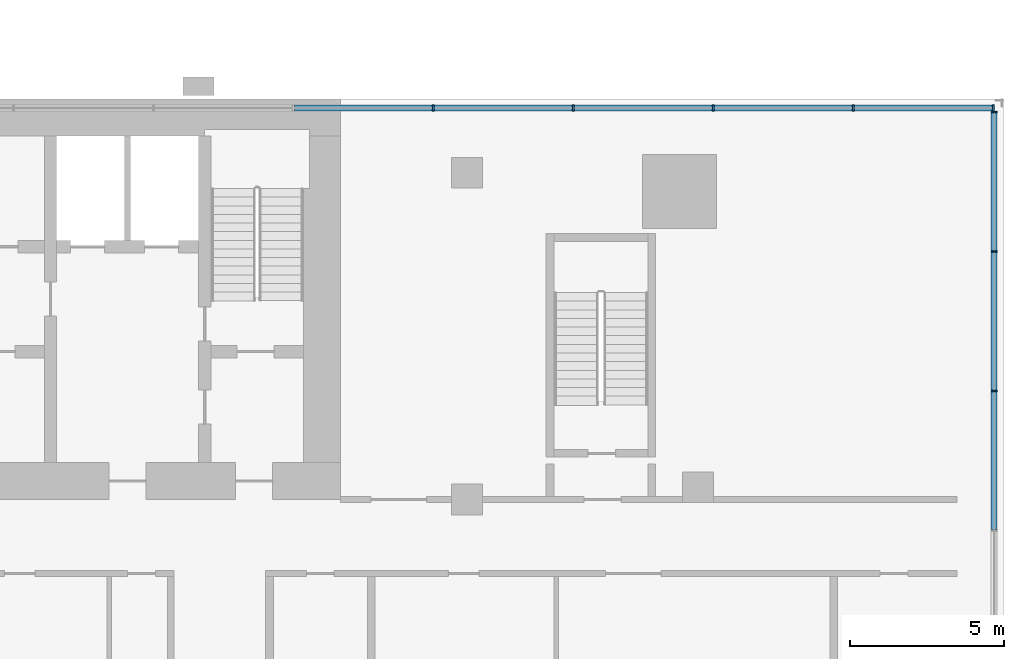
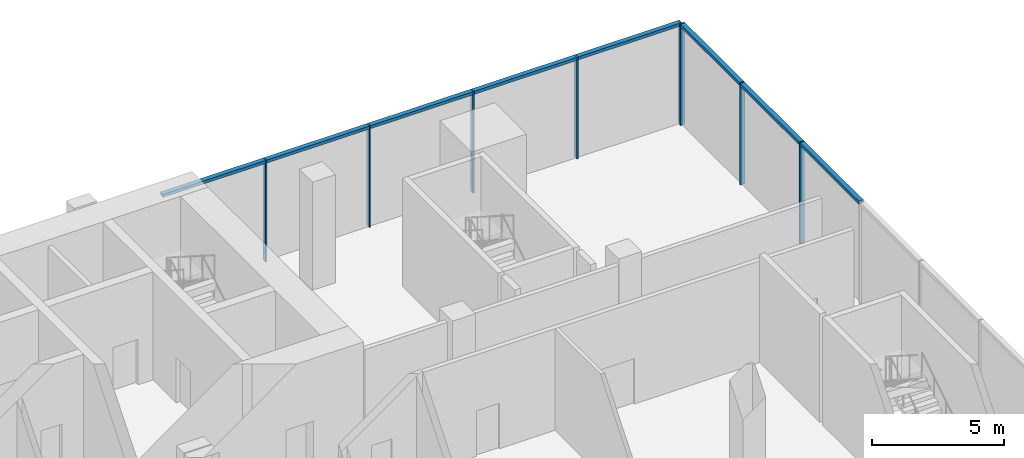
# One storey, part 8 of 20: 16 members, 2 elements without a shape of their own.
"""IFC4 building model written with IfcOpenShell, lengths in metres."""

from ifc_helpers import new_model, si_unit, direction, frame, origin, origin_2d, place, context, subcontext, project, spatial, rectangle, extrude, material, material_profile, profile_set, type_object, element, aggregate, save


model = new_model("IFC4")

# Units and contexts
model_context = context("Model", 3, precision=1e-05, world=origin(), true_north=direction((0.0, 1.0)))
body_context = subcontext(model_context, "Body", "Model", "MODEL_VIEW")
ifc_project = project(units=[si_unit("LENGTHUNIT", "METRE"), si_unit("AREAUNIT", "SQUARE_METRE"), si_unit("VOLUMEUNIT", "CUBIC_METRE"), si_unit("PLANEANGLEUNIT", "RADIAN"), si_unit("MASSUNIT", "GRAM", prefix="KILO")], contexts=[model_context])

# Site, building, storey
site_placement = place(None, origin())
site = spatial("IfcSite", under=ifc_project, at=site_placement, CompositionType="ELEMENT")
building_placement = place(site_placement, origin())
building = spatial("IfcBuilding", under=site, at=building_placement, Name="Bicima Exchange Tower", CompositionType="ELEMENT")
storey_placement = place(building_placement, frame((0.0, 0.0, 25.0)))
storey = spatial("IfcBuildingStorey", under=building, at=storey_placement, Name="L04", CompositionType="ELEMENT", Elevation=25.0)

# Curtain wall, members
ifc_material = material(Name="Anodised bronze aluminium", Category="aluminium")
curtain_wall_type = type_object("IfcCurtainWallType", Name="Lobby glazing", PredefinedType="NOTDEFINED", material=ifc_material)
curtain_wall_1_placement = place(storey_placement, origin())
curtain_wall_1 = element("IfcCurtainWall", 1, at=curtain_wall_1_placement, inside=storey, type_object=curtain_wall_type, Name="Podium glazing L04 east 1", PredefinedType="NOTDEFINED")
ifc_material_profile_1 = material_profile(ifc_material, rectangle(XDim=0.199951171875, YDim=0.06005859375, at=origin_2d()))
ifc_profile_set_1 = profile_set([ifc_material_profile_1], Name="Anodised bronze aluminium")
member_type_1 = type_object("IfcMemberType", Name="Lobby glazing mullion 60 x 200", PredefinedType="MULLION", material=ifc_profile_set_1)
member_1_placement = place(storey_placement, frame((43.199951171875, -9.47802734375, 0.0), z_axis=(0.0, 0.0, 1.0), x_axis=(-1.0, 0.0, 0.0)))
member_1 = element("IfcMember", 2, at=member_1_placement, type_object=member_type_1, Name="Lobby glazing mullion 9", PredefinedType="MULLION", context=body_context, shape_type="SweptSolid", body=[
    extrude(rectangle(XDim=0.199951171875, YDim=0.06005859375, at=origin_2d()), origin(), (0.0, 0.0, 1.0), 4.699951171875),
])
member_2_placement = place(storey_placement, frame((43.199951171875, -4.9541015625, 0.0), z_axis=(0.0, 0.0, 1.0), x_axis=(-1.0, 0.0, 0.0)))
member_2 = element("IfcMember", 3, at=member_2_placement, type_object=member_type_1, Name="Lobby glazing mullion 10", PredefinedType="MULLION", context=body_context, shape_type="SweptSolid", body=[
    extrude(rectangle(XDim=0.199951171875, YDim=0.06005859375, at=origin_2d()), origin(), (0.0, 0.0, 1.0), 4.699951171875),
])
member_3_placement = place(storey_placement, frame((43.199951171875, -0.429931640625, 0.0), z_axis=(0.0, 0.0, 1.0), x_axis=(-1.0, 0.0, 0.0)))
member_3 = element("IfcMember", 4, at=member_3_placement, type_object=member_type_1, Name="Lobby glazing mullion 11", PredefinedType="MULLION", context=body_context, shape_type="SweptSolid", body=[
    extrude(rectangle(XDim=0.199951171875, YDim=0.06005859375, at=origin_2d()), origin(), (0.0, 0.0, 1.0), 4.699951171875),
])

curtain_wall_2_placement = place(storey_placement, origin())
curtain_wall_2 = element("IfcCurtainWall", 5, at=curtain_wall_2_placement, inside=storey, type_object=curtain_wall_type, Name="Podium glazing L04 north 1", PredefinedType="NOTDEFINED")
member_4_placement = place(storey_placement, frame((43.169921875, -0.300048828125, 0.0), z_axis=(0.0, 0.0, 1.0), x_axis=(0.0, -1.0, 0.0)))
member_4 = element("IfcMember", 6, at=member_4_placement, type_object=member_type_1, Name="Lobby glazing mullion 1", PredefinedType="MULLION", context=body_context, shape_type="SweptSolid", body=[
    extrude(rectangle(XDim=0.199951171875, YDim=0.06005859375, at=origin_2d()), origin(), (0.0, 0.0, 1.0), 4.699951171875),
])
member_5_placement = place(storey_placement, frame((38.631103515625, -0.300048828125, 0.0), z_axis=(0.0, 0.0, 1.0), x_axis=(0.0, -1.0, 0.0)))
member_5 = element("IfcMember", 7, at=member_5_placement, type_object=member_type_1, Name="Lobby glazing mullion 2", PredefinedType="MULLION", context=body_context, shape_type="SweptSolid", body=[
    extrude(rectangle(XDim=0.199951171875, YDim=0.06005859375, at=origin_2d()), origin(), (0.0, 0.0, 1.0), 4.699951171875),
])
member_6_placement = place(storey_placement, frame((34.092041015625, -0.300048828125, 0.0), z_axis=(0.0, 0.0, 1.0), x_axis=(0.0, -1.0, 0.0)))
member_6 = element("IfcMember", 8, at=member_6_placement, type_object=member_type_1, Name="Lobby glazing mullion 3", PredefinedType="MULLION", context=body_context, shape_type="SweptSolid", body=[
    extrude(rectangle(XDim=0.199951171875, YDim=0.06005859375, at=origin_2d()), origin(), (0.0, 0.0, 1.0), 4.699951171875),
])
member_7_placement = place(storey_placement, frame((29.55322265625, -0.300048828125, 0.0), z_axis=(0.0, 0.0, 1.0), x_axis=(0.0, -1.0, 0.0)))
member_7 = element("IfcMember", 9, at=member_7_placement, type_object=member_type_1, Name="Lobby glazing mullion 4", PredefinedType="MULLION", context=body_context, shape_type="SweptSolid", body=[
    extrude(rectangle(XDim=0.199951171875, YDim=0.06005859375, at=origin_2d()), origin(), (0.0, 0.0, 1.0), 4.699951171875),
])
member_8_placement = place(storey_placement, frame((25.01416015625, -0.300048828125, 0.0), z_axis=(0.0, 0.0, 1.0), x_axis=(0.0, -1.0, 0.0)))
member_8 = element("IfcMember", 10, at=member_8_placement, type_object=member_type_1, Name="Lobby glazing mullion 5", PredefinedType="MULLION", context=body_context, shape_type="SweptSolid", body=[
    extrude(rectangle(XDim=0.199951171875, YDim=0.06005859375, at=origin_2d()), origin(), (0.0, 0.0, 1.0), 4.699951171875),
])

# Member
ifc_material_profile_2 = material_profile(ifc_material, rectangle(XDim=0.199951171875, YDim=0.139892578125, at=origin_2d()))
ifc_profile_set_2 = profile_set([ifc_material_profile_2], Name="Anodised bronze aluminium")
member_type_2 = type_object("IfcMemberType", Name="Lobby glazing transom 140 x 200", PredefinedType="USERDEFINED", material=ifc_profile_set_2)
member_9_placement = place(storey_placement, frame((43.199951171875, -13.971923828125, 4.6298828125), z_axis=(0.0, 1.0, 0.0), x_axis=(-1.0, 0.0, 0.0)))
member_9 = element("IfcMember", 11, at=member_9_placement, type_object=member_type_2, Name="Lobby glazing transom 8.1", ObjectType="TRANSOM", PredefinedType="USERDEFINED", context=body_context, shape_type="SweptSolid", body=[
    extrude(rectangle(XDim=0.199951171875, YDim=0.139892578125, at=origin_2d()), origin(), (0.0, 0.0, 1.0), 4.4638671875),
])

member_10_placement = place(storey_placement, frame((43.199951171875, -9.447998046875, 4.6298828125), z_axis=(0.0, 1.0, 0.0), x_axis=(-1.0, 0.0, 0.0)))
member_10 = element("IfcMember", 12, at=member_10_placement, type_object=member_type_2, Name="Lobby glazing transom 9.1", ObjectType="TRANSOM", PredefinedType="USERDEFINED", context=body_context, shape_type="SweptSolid", body=[
    extrude(rectangle(XDim=0.199951171875, YDim=0.139892578125, at=origin_2d()), origin(), (0.0, 0.0, 1.0), 4.464111328125),
])

member_11_placement = place(storey_placement, frame((43.199951171875, -4.924072265625, 4.6298828125), z_axis=(0.0, 1.0, 0.0), x_axis=(-1.0, 0.0, 0.0)))
member_11 = element("IfcMember", 13, at=member_11_placement, type_object=member_type_2, Name="Lobby glazing transom 10.1", ObjectType="TRANSOM", PredefinedType="USERDEFINED", context=body_context, shape_type="SweptSolid", body=[
    extrude(rectangle(XDim=0.199951171875, YDim=0.139892578125, at=origin_2d()), origin(), (0.0, 0.0, 1.0), 4.464111328125),
])

aggregate(curtain_wall_1, [member_1, member_2, member_3, member_9, member_10, member_11])

member_12_placement = place(storey_placement, frame((43.139892578125, -0.300048828125, 4.6298828125), z_axis=(-1.0, 0.0, 0.0), x_axis=(0.0, -1.0, 0.0)))
member_12 = element("IfcMember", 14, at=member_12_placement, type_object=member_type_2, Name="Lobby glazing transom 1.1", ObjectType="TRANSOM", PredefinedType="USERDEFINED", context=body_context, shape_type="SweptSolid", body=[
    extrude(rectangle(XDim=0.199951171875, YDim=0.139892578125, at=origin_2d()), origin(), (0.0, 0.0, 1.0), 4.478759765625),
])

member_13_placement = place(storey_placement, frame((38.60107421875, -0.300048828125, 4.6298828125), z_axis=(-1.0, 0.0, 0.0), x_axis=(0.0, -1.0, 0.0)))
member_13 = element("IfcMember", 15, at=member_13_placement, type_object=member_type_2, Name="Lobby glazing transom 2.1", ObjectType="TRANSOM", PredefinedType="USERDEFINED", context=body_context, shape_type="SweptSolid", body=[
    extrude(rectangle(XDim=0.199951171875, YDim=0.139892578125, at=origin_2d()), origin(), (0.0, 0.0, 1.0), 4.47900390625),
])

member_14_placement = place(storey_placement, frame((34.06201171875, -0.300048828125, 4.6298828125), z_axis=(-1.0, 0.0, 0.0), x_axis=(0.0, -1.0, 0.0)))
member_14 = element("IfcMember", 16, at=member_14_placement, type_object=member_type_2, Name="Lobby glazing transom 3.1", ObjectType="TRANSOM", PredefinedType="USERDEFINED", context=body_context, shape_type="SweptSolid", body=[
    extrude(rectangle(XDim=0.199951171875, YDim=0.139892578125, at=origin_2d()), origin(), (0.0, 0.0, 1.0), 4.478759765625),
])

member_15_placement = place(storey_placement, frame((29.523193359375, -0.300048828125, 4.6298828125), z_axis=(-1.0, 0.0, 0.0), x_axis=(0.0, -1.0, 0.0)))
member_15 = element("IfcMember", 17, at=member_15_placement, type_object=member_type_2, Name="Lobby glazing transom 4.1", ObjectType="TRANSOM", PredefinedType="USERDEFINED", context=body_context, shape_type="SweptSolid", body=[
    extrude(rectangle(XDim=0.199951171875, YDim=0.139892578125, at=origin_2d()), origin(), (0.0, 0.0, 1.0), 4.47900390625),
])

member_16_placement = place(storey_placement, frame((24.984130859375, -0.300048828125, 4.6298828125), z_axis=(-1.0, 0.0, 0.0), x_axis=(0.0, -1.0, 0.0)))
member_16 = element("IfcMember", 18, at=member_16_placement, type_object=member_type_2, Name="Lobby glazing transom 5.1", ObjectType="TRANSOM", PredefinedType="USERDEFINED", context=body_context, shape_type="SweptSolid", body=[
    extrude(rectangle(XDim=0.199951171875, YDim=0.139892578125, at=origin_2d()), origin(), (0.0, 0.0, 1.0), 4.478759765625),
])

aggregate(curtain_wall_2, [member_4, member_5, member_6, member_7, member_8, member_12, member_13, member_14, member_15, member_16])

save(model, "model.ifc")
